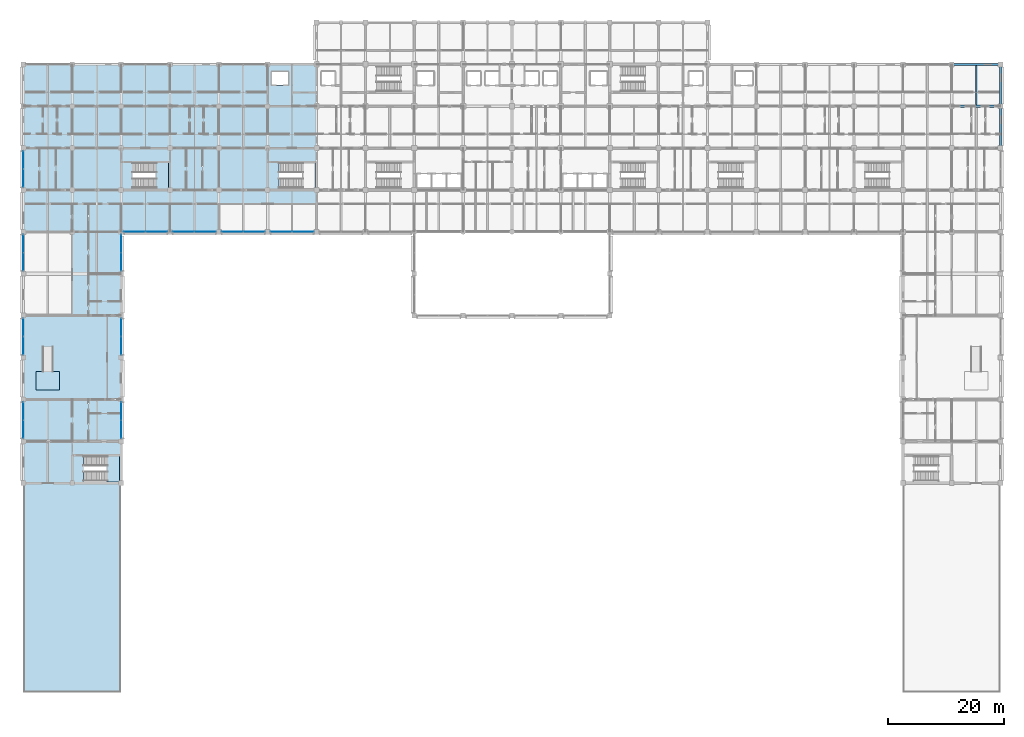
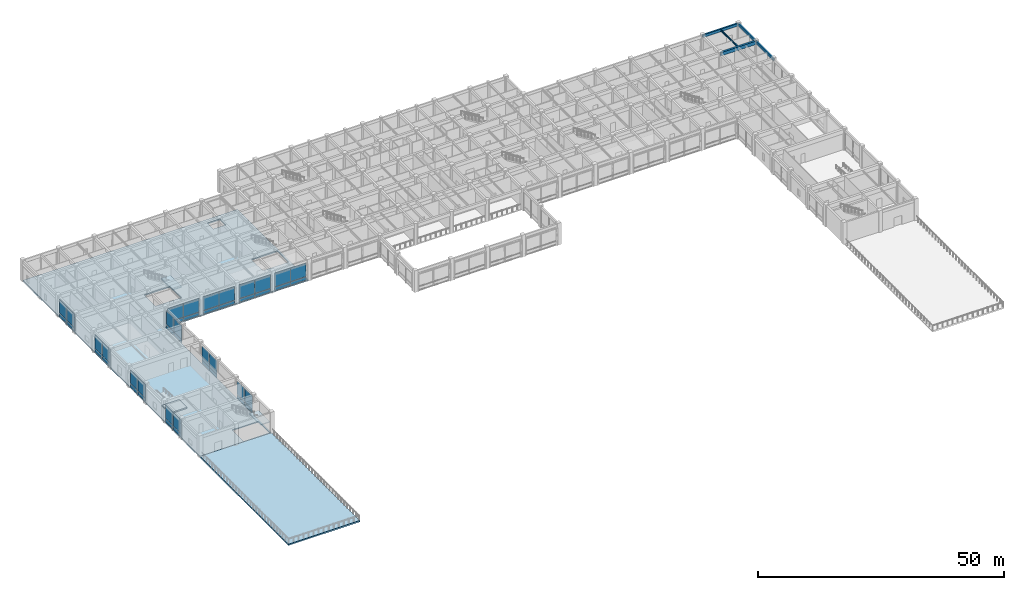
# One storey, part 17 of 51: 44 plates, 5 beams, 5 slabs, 13 elements without a shape of their own.
"""IFC4 building model written with IfcOpenShell, lengths in metres."""

from ifc_helpers import new_model, si_unit, direction, frame, origin, origin_2d, place, context, subcontext, project, spatial, polyline, rectangle, i_section, outline, extrude, material, layer, layer_set, material_profile, profile_set, type_object, element, aggregate, save


model = new_model("IFC4")

# Units and contexts
model_context = context("Model", 3, precision=1e-05, world=origin(), true_north=direction((0.0, 1.0)))
body_context = subcontext(model_context, "Body", "Model", "MODEL_VIEW")
ifc_project = project(units=[si_unit("LENGTHUNIT", "METRE"), si_unit("AREAUNIT", "SQUARE_METRE"), si_unit("VOLUMEUNIT", "CUBIC_METRE"), si_unit("PLANEANGLEUNIT", "RADIAN"), si_unit("MASSUNIT", "GRAM", prefix="KILO")], contexts=[model_context])

# Site, building, storey
site_placement = place(None, origin())
site = spatial("IfcSite", under=ifc_project, at=site_placement, CompositionType="ELEMENT")
building_placement = place(site_placement, origin())
building = spatial("IfcBuilding", under=site, at=building_placement, Name="Chengyuan Square Courthouse", CompositionType="ELEMENT")
storey_placement = place(building_placement, frame((0.0, 0.0, 10.800048828125)))
storey = spatial("IfcBuildingStorey", under=building, at=storey_placement, Name="L03", CompositionType="ELEMENT", Elevation=10.800048828125)

# Beams
ifc_material_1 = material(Name="Concrete C40", Category="concrete")
ifc_material_profile_1 = material_profile(ifc_material_1, rectangle(XDim=0.449951171875, YDim=0.85009765625, at=origin_2d()), Name="RC-BM-450x850")
ifc_profile_set_1 = profile_set([ifc_material_profile_1], Name="Concrete C40")
beam_type_1 = type_object("IfcBeamType", Name="BM-01", PredefinedType="USERDEFINED", material=ifc_profile_set_1)
beam_1_placement = place(storey_placement, frame((159.60009765625, 100.800048828125, 4.695068359375), z_axis=(1.0, 0.0, 0.0), x_axis=(0.0, 1.0, 0.0)))
element("IfcBeam", 1, at=beam_1_placement, inside=storey, type_object=beam_type_1, Name="Girder BM-L03-2603", ObjectType="GIRDER", PredefinedType="USERDEFINED", context=body_context, shape_type="SweptSolid", body=[
    extrude(rectangle(XDim=0.449951171875, YDim=0.85009765625, at=origin_2d()), origin(), (0.0, 0.0, 1.0), 8.39990234375),
])
ifc_material_profile_2 = material_profile(ifc_material_1, rectangle(XDim=0.35009765625, YDim=0.64990234375, at=origin_2d()), Name="RC-BM-350x650")
ifc_profile_set_2 = profile_set([ifc_material_profile_2], Name="Concrete C40")
beam_type_2 = type_object("IfcBeamType", Name="BM-03", PredefinedType="SPANDREL", material=ifc_profile_set_2)
beam_2_placement = place(storey_placement, frame((159.60009765625, 108.0, 4.794921875), z_axis=(1.0, 0.0, 0.0), x_axis=(0.0, 1.0, 0.0)))
element("IfcBeam", 2, at=beam_2_placement, inside=storey, type_object=beam_type_2, Name="Girder BM-L03-2623", PredefinedType="SPANDREL", context=body_context, shape_type="SweptSolid", body=[
    extrude(rectangle(XDim=0.35009765625, YDim=0.64990234375, at=origin_2d()), origin(), (0.0, 0.0, 1.0), 8.39990234375),
])
for number, where, z_axis, x_axis, name in (
    (3, (168.0, 93.60009765625, 4.794921875), (0.0, 1.0, 0.0), (-1.0, 0.0, 0.0), "Girder BM-L03-2751"),
    (4, (168.0, 100.800048828125, 4.794921875), (0.0, 1.0, 0.0), (-1.0, 0.0, 0.0), "Girder BM-L03-2752"),
):
    element("IfcBeam", number, at=place(storey_placement, frame(where, z_axis=z_axis, x_axis=x_axis)), inside=storey, type_object=beam_type_2, Name=name, PredefinedType="SPANDREL", context=body_context, shape_type="SweptSolid", body=[
        extrude(rectangle(XDim=0.35009765625, YDim=0.64990234375, at=origin_2d()), origin(), (0.0, 0.0, 1.0), 7.199951171875),
    ])
ifc_material_2 = material(Name="Steel Q355B", Category="steel")
ifc_material_profile_3 = material_profile(ifc_material_2, i_section(OverallWidth=0.199951171875, OverallDepth=0.449951171875, WebThickness=0.009033203125, FlangeThickness=0.013916015625, at=origin_2d()), Name="HN 450x200x9x14")
ifc_profile_set_3 = profile_set([ifc_material_profile_3], Name="Steel Q355B")
beam_type_3 = type_object("IfcBeamType", Name="BM-06", PredefinedType="BEAM", material=ifc_profile_set_3)
beam_3_placement = place(storey_placement, frame((163.800048828125, 101.02490234375, 4.89501953125), z_axis=(0.0, 1.0, 0.0), x_axis=(-1.0, 0.0, 0.0)))
element("IfcBeam", 5, at=beam_3_placement, inside=storey, type_object=beam_type_3, Name="Secondary Floor Beam SBM-L03-2842", PredefinedType="BEAM", context=body_context, shape_type="SweptSolid", body=[
    extrude(i_section(OverallWidth=0.199951171875, OverallDepth=0.449951171875, WebThickness=0.009033203125, FlangeThickness=0.013916015625, at=origin_2d()), origin(), (0.0, 0.0, 1.0), 6.800048828125),
])

# Curtain wall, plates
ifc_material_3 = material(Name="Unitised Aluminium and Triple Low-E Glass", Category="aluminium")
ifc_layer_1 = layer(ifc_material_3, 0.199951171875)
ifc_layer_set_1 = layer_set([ifc_layer_1], Name="Unitised Aluminium and Triple Low-E Glass")
curtain_wall_type_1 = type_object("IfcCurtainWallType", Name="CW-07", PredefinedType="USERDEFINED", material=ifc_layer_set_1)
curtain_wall_1_placement = place(storey_placement, origin())
curtain_wall_1 = element("IfcCurtainWall", 6, at=curtain_wall_1_placement, inside=storey, type_object=curtain_wall_type_1, Name="Unitised Curtain Wall CW-L03-097", ObjectType="UNITISED CURTAIN WALL", PredefinedType="USERDEFINED")
ifc_material_4 = material(Name="Triple Low-E Insulating Glass", Category="glass")
ifc_layer_2 = layer(ifc_material_4, 0.02392578125)
ifc_layer_set_2 = layer_set([ifc_layer_2], Name="Triple Low-E Insulating Glass")
plate_type_1 = type_object("IfcPlateType", Name="CWP-01", PredefinedType="CURTAIN_PANEL", material=ifc_layer_set_2)
plate_1_placement = place(storey_placement, frame((19.1298828125, 79.199951171875, 0.06982421875), z_axis=(0.0, 0.0, 1.0), x_axis=(1.0, 0.0, 0.0)))
plate_1 = element("IfcPlate", 7, at=plate_1_placement, type_object=plate_type_1, Name="CW-07 panel 1.1", PredefinedType="CURTAIN_PANEL", context=body_context, shape_type="SweptSolid", body=[
    extrude(rectangle(XDim=3.669921875, YDim=0.02392578125, at=origin_2d()), origin(), (0.0, 0.0, 1.0), 0.844970703125),
])
plate_2_placement = place(storey_placement, frame((19.1298828125, 79.199951171875, 0.98486328125), z_axis=(0.0, 0.0, 1.0), x_axis=(1.0, 0.0, 0.0)))
plate_2 = element("IfcPlate", 8, at=plate_2_placement, type_object=plate_type_1, Name="CW-07 panel 1.2", PredefinedType="CURTAIN_PANEL", context=body_context, shape_type="SweptSolid", body=[
    extrude(rectangle(XDim=3.669921875, YDim=0.02392578125, at=origin_2d()), origin(), (0.0, 0.0, 1.0), 3.4150390625),
])
plate_3_placement = place(storey_placement, frame((22.8701171875, 79.199951171875, 0.06982421875), z_axis=(0.0, 0.0, 1.0), x_axis=(1.0, 0.0, 0.0)))
plate_3 = element("IfcPlate", 9, at=plate_3_placement, type_object=plate_type_1, Name="CW-07 panel 2.1", PredefinedType="CURTAIN_PANEL", context=body_context, shape_type="SweptSolid", body=[
    extrude(rectangle(XDim=3.669921875, YDim=0.02392578125, at=origin_2d()), origin(), (0.0, 0.0, 1.0), 0.844970703125),
])
plate_4_placement = place(storey_placement, frame((22.8701171875, 79.199951171875, 0.98486328125), z_axis=(0.0, 0.0, 1.0), x_axis=(1.0, 0.0, 0.0)))
plate_4 = element("IfcPlate", 10, at=plate_4_placement, type_object=plate_type_1, Name="CW-07 panel 2.2", PredefinedType="CURTAIN_PANEL", context=body_context, shape_type="SweptSolid", body=[
    extrude(rectangle(XDim=3.669921875, YDim=0.02392578125, at=origin_2d()), origin(), (0.0, 0.0, 1.0), 3.4150390625),
])
aggregate(curtain_wall_1, [plate_1, plate_2, plate_3, plate_4])

curtain_wall_2_placement = place(storey_placement, origin())
curtain_wall_2 = element("IfcCurtainWall", 11, at=curtain_wall_2_placement, inside=storey, type_object=curtain_wall_type_1, Name="Unitised Curtain Wall CW-L03-099", ObjectType="UNITISED CURTAIN WALL", PredefinedType="USERDEFINED")
plate_5_placement = place(storey_placement, frame((27.530029296875, 79.199951171875, 0.06982421875), z_axis=(0.0, 0.0, 1.0), x_axis=(1.0, 0.0, 0.0)))
plate_5 = element("IfcPlate", 12, at=plate_5_placement, type_object=plate_type_1, Name="CW-07 panel 1.1", PredefinedType="CURTAIN_PANEL", context=body_context, shape_type="SweptSolid", body=[
    extrude(rectangle(XDim=3.669921875, YDim=0.02392578125, at=origin_2d()), origin(), (0.0, 0.0, 1.0), 0.844970703125),
])
plate_6_placement = place(storey_placement, frame((27.530029296875, 79.199951171875, 0.98486328125), z_axis=(0.0, 0.0, 1.0), x_axis=(1.0, 0.0, 0.0)))
plate_6 = element("IfcPlate", 13, at=plate_6_placement, type_object=plate_type_1, Name="CW-07 panel 1.2", PredefinedType="CURTAIN_PANEL", context=body_context, shape_type="SweptSolid", body=[
    extrude(rectangle(XDim=3.669921875, YDim=0.02392578125, at=origin_2d()), origin(), (0.0, 0.0, 1.0), 3.4150390625),
])
plate_7_placement = place(storey_placement, frame((31.27001953125, 79.199951171875, 0.06982421875), z_axis=(0.0, 0.0, 1.0), x_axis=(1.0, 0.0, 0.0)))
plate_7 = element("IfcPlate", 14, at=plate_7_placement, type_object=plate_type_1, Name="CW-07 panel 2.1", PredefinedType="CURTAIN_PANEL", context=body_context, shape_type="SweptSolid", body=[
    extrude(rectangle(XDim=3.669921875, YDim=0.02392578125, at=origin_2d()), origin(), (0.0, 0.0, 1.0), 0.844970703125),
])
plate_8_placement = place(storey_placement, frame((31.27001953125, 79.199951171875, 0.98486328125), z_axis=(0.0, 0.0, 1.0), x_axis=(1.0, 0.0, 0.0)))
plate_8 = element("IfcPlate", 15, at=plate_8_placement, type_object=plate_type_1, Name="CW-07 panel 2.2", PredefinedType="CURTAIN_PANEL", context=body_context, shape_type="SweptSolid", body=[
    extrude(rectangle(XDim=3.669921875, YDim=0.02392578125, at=origin_2d()), origin(), (0.0, 0.0, 1.0), 3.4150390625),
])
aggregate(curtain_wall_2, [plate_5, plate_6, plate_7, plate_8])

curtain_wall_3_placement = place(storey_placement, origin())
curtain_wall_3 = element("IfcCurtainWall", 16, at=curtain_wall_3_placement, inside=storey, type_object=curtain_wall_type_1, Name="Unitised Curtain Wall CW-L03-100", ObjectType="UNITISED CURTAIN WALL", PredefinedType="USERDEFINED")
plate_9_placement = place(storey_placement, frame((35.929931640625, 79.199951171875, 0.06982421875), z_axis=(0.0, 0.0, 1.0), x_axis=(1.0, 0.0, 0.0)))
plate_9 = element("IfcPlate", 17, at=plate_9_placement, type_object=plate_type_1, Name="CW-07 panel 1.1", PredefinedType="CURTAIN_PANEL", context=body_context, shape_type="SweptSolid", body=[
    extrude(rectangle(XDim=3.669921875, YDim=0.02392578125, at=origin_2d()), origin(), (0.0, 0.0, 1.0), 0.844970703125),
])
plate_10_placement = place(storey_placement, frame((35.929931640625, 79.199951171875, 0.98486328125), z_axis=(0.0, 0.0, 1.0), x_axis=(1.0, 0.0, 0.0)))
plate_10 = element("IfcPlate", 18, at=plate_10_placement, type_object=plate_type_1, Name="CW-07 panel 1.2", PredefinedType="CURTAIN_PANEL", context=body_context, shape_type="SweptSolid", body=[
    extrude(rectangle(XDim=3.669921875, YDim=0.02392578125, at=origin_2d()), origin(), (0.0, 0.0, 1.0), 3.4150390625),
])
plate_11_placement = place(storey_placement, frame((39.669921875, 79.199951171875, 0.06982421875), z_axis=(0.0, 0.0, 1.0), x_axis=(1.0, 0.0, 0.0)))
plate_11 = element("IfcPlate", 19, at=plate_11_placement, type_object=plate_type_1, Name="CW-07 panel 2.1", PredefinedType="CURTAIN_PANEL", context=body_context, shape_type="SweptSolid", body=[
    extrude(rectangle(XDim=3.669921875, YDim=0.02392578125, at=origin_2d()), origin(), (0.0, 0.0, 1.0), 0.844970703125),
])
plate_12_placement = place(storey_placement, frame((39.669921875, 79.199951171875, 0.98486328125), z_axis=(0.0, 0.0, 1.0), x_axis=(1.0, 0.0, 0.0)))
plate_12 = element("IfcPlate", 20, at=plate_12_placement, type_object=plate_type_1, Name="CW-07 panel 2.2", PredefinedType="CURTAIN_PANEL", context=body_context, shape_type="SweptSolid", body=[
    extrude(rectangle(XDim=3.669921875, YDim=0.02392578125, at=origin_2d()), origin(), (0.0, 0.0, 1.0), 3.4150390625),
])
aggregate(curtain_wall_3, [plate_9, plate_10, plate_11, plate_12])

curtain_wall_4_placement = place(storey_placement, origin())
curtain_wall_4 = element("IfcCurtainWall", 21, at=curtain_wall_4_placement, inside=storey, type_object=curtain_wall_type_1, Name="Unitised Curtain Wall CW-L03-102", ObjectType="UNITISED CURTAIN WALL", PredefinedType="USERDEFINED")
plate_13_placement = place(storey_placement, frame((44.32373046875, 79.199951171875, 0.06982421875), z_axis=(0.0, 0.0, 1.0), x_axis=(1.0, 0.0, 0.0)))
plate_13 = element("IfcPlate", 22, at=plate_13_placement, type_object=plate_type_1, Name="CW-07 panel 1.1", PredefinedType="CURTAIN_PANEL", context=body_context, shape_type="SweptSolid", body=[
    extrude(rectangle(XDim=3.657470703125, YDim=0.02392578125, at=origin_2d()), origin(), (0.0, 0.0, 1.0), 0.844970703125),
])
plate_14_placement = place(storey_placement, frame((44.32373046875, 79.199951171875, 0.98486328125), z_axis=(0.0, 0.0, 1.0), x_axis=(1.0, 0.0, 0.0)))
plate_14 = element("IfcPlate", 23, at=plate_14_placement, type_object=plate_type_1, Name="CW-07 panel 1.2", PredefinedType="CURTAIN_PANEL", context=body_context, shape_type="SweptSolid", body=[
    extrude(rectangle(XDim=3.657470703125, YDim=0.02392578125, at=origin_2d()), origin(), (0.0, 0.0, 1.0), 3.4150390625),
])
plate_15_placement = place(storey_placement, frame((48.05126953125, 79.199951171875, 0.06982421875), z_axis=(0.0, 0.0, 1.0), x_axis=(1.0, 0.0, 0.0)))
plate_15 = element("IfcPlate", 24, at=plate_15_placement, type_object=plate_type_1, Name="CW-07 panel 2.1", PredefinedType="CURTAIN_PANEL", context=body_context, shape_type="SweptSolid", body=[
    extrude(rectangle(XDim=3.657470703125, YDim=0.02392578125, at=origin_2d()), origin(), (0.0, 0.0, 1.0), 0.844970703125),
])
plate_16_placement = place(storey_placement, frame((48.05126953125, 79.199951171875, 0.98486328125), z_axis=(0.0, 0.0, 1.0), x_axis=(1.0, 0.0, 0.0)))
plate_16 = element("IfcPlate", 25, at=plate_16_placement, type_object=plate_type_1, Name="CW-07 panel 2.2", PredefinedType="CURTAIN_PANEL", context=body_context, shape_type="SweptSolid", body=[
    extrude(rectangle(XDim=3.657470703125, YDim=0.02392578125, at=origin_2d()), origin(), (0.0, 0.0, 1.0), 3.4150390625),
])
aggregate(curtain_wall_4, [plate_13, plate_14, plate_15, plate_16])

ifc_layer_3 = layer(ifc_material_3, 0.219970703125)
ifc_layer_set_3 = layer_set([ifc_layer_3], Name="Unitised Aluminium and Triple Low-E Glass")
curtain_wall_type_2 = type_object("IfcCurtainWallType", Name="CW-20", PredefinedType="USERDEFINED", material=ifc_layer_set_3)
curtain_wall_5_placement = place(storey_placement, origin())
curtain_wall_5 = element("IfcCurtainWall", 26, at=curtain_wall_5_placement, inside=storey, type_object=curtain_wall_type_2, Name="Unitised Curtain Wall CW-L03-089", ObjectType="UNITISED CURTAIN WALL", PredefinedType="USERDEFINED")
ifc_layer_4 = layer(ifc_material_4, 0.031982421875)
ifc_layer_set_4 = layer_set([ifc_layer_4], Name="Triple Low-E Insulating Glass")
plate_type_2 = type_object("IfcPlateType", Name="CWP-02", PredefinedType="CURTAIN_PANEL", material=ifc_layer_set_4)
plate_17_placement = place(storey_placement, frame((0.0, 45.232421875, 0.079833984375), z_axis=(0.0, 0.0, 1.0), x_axis=(0.0, 1.0, 0.0)))
plate_17 = element("IfcPlate", 27, at=plate_17_placement, type_object=plate_type_2, Name="CW-20 panel 1.1", PredefinedType="CURTAIN_PANEL", context=body_context, shape_type="SweptSolid", body=[
    extrude(rectangle(XDim=3.054931640625, YDim=0.031982421875, at=origin_2d()), origin(), (0.0, 0.0, 1.0), 0.830078125),
])
plate_18_placement = place(storey_placement, frame((0.0, 45.232421875, 0.989990234375), z_axis=(0.0, 0.0, 1.0), x_axis=(0.0, 1.0, 0.0)))
plate_18 = element("IfcPlate", 28, at=plate_18_placement, type_object=plate_type_2, Name="CW-20 panel 1.2", PredefinedType="CURTAIN_PANEL", context=body_context, shape_type="SweptSolid", body=[
    extrude(rectangle(XDim=3.054931640625, YDim=0.031982421875, at=origin_2d()), origin(), (0.0, 0.0, 1.0), 3.39990234375),
])
plate_19_placement = place(storey_placement, frame((0.0, 48.367431640625, 0.079833984375), z_axis=(0.0, 0.0, 1.0), x_axis=(0.0, 1.0, 0.0)))
plate_19 = element("IfcPlate", 29, at=plate_19_placement, type_object=plate_type_2, Name="CW-20 panel 2.1", PredefinedType="CURTAIN_PANEL", context=body_context, shape_type="SweptSolid", body=[
    extrude(rectangle(XDim=3.054931640625, YDim=0.031982421875, at=origin_2d()), origin(), (0.0, 0.0, 1.0), 0.830078125),
])
plate_20_placement = place(storey_placement, frame((0.0, 48.367431640625, 0.989990234375), z_axis=(0.0, 0.0, 1.0), x_axis=(0.0, 1.0, 0.0)))
plate_20 = element("IfcPlate", 30, at=plate_20_placement, type_object=plate_type_2, Name="CW-20 panel 2.2", PredefinedType="CURTAIN_PANEL", context=body_context, shape_type="SweptSolid", body=[
    extrude(rectangle(XDim=3.054931640625, YDim=0.031982421875, at=origin_2d()), origin(), (0.0, 0.0, 1.0), 3.39990234375),
])
aggregate(curtain_wall_5, [plate_17, plate_18, plate_19, plate_20])

curtain_wall_6_placement = place(storey_placement, origin())
curtain_wall_6 = element("IfcCurtainWall", 31, at=curtain_wall_6_placement, inside=storey, type_object=curtain_wall_type_2, Name="Unitised Curtain Wall CW-L03-090", ObjectType="UNITISED CURTAIN WALL", PredefinedType="USERDEFINED")
plate_21_placement = place(storey_placement, frame((0.0, 59.632568359375, 0.079833984375), z_axis=(0.0, 0.0, 1.0), x_axis=(0.0, 1.0, 0.0)))
plate_21 = element("IfcPlate", 32, at=plate_21_placement, type_object=plate_type_2, Name="CW-20 panel 1.1", PredefinedType="CURTAIN_PANEL", context=body_context, shape_type="SweptSolid", body=[
    extrude(rectangle(XDim=3.054931640625, YDim=0.031982421875, at=origin_2d()), origin(), (0.0, 0.0, 1.0), 0.830078125),
])
plate_22_placement = place(storey_placement, frame((0.0, 59.632568359375, 0.989990234375), z_axis=(0.0, 0.0, 1.0), x_axis=(0.0, 1.0, 0.0)))
plate_22 = element("IfcPlate", 33, at=plate_22_placement, type_object=plate_type_2, Name="CW-20 panel 1.2", PredefinedType="CURTAIN_PANEL", context=body_context, shape_type="SweptSolid", body=[
    extrude(rectangle(XDim=3.054931640625, YDim=0.031982421875, at=origin_2d()), origin(), (0.0, 0.0, 1.0), 3.39990234375),
])
plate_23_placement = place(storey_placement, frame((0.0, 62.767578125, 0.079833984375), z_axis=(0.0, 0.0, 1.0), x_axis=(0.0, 1.0, 0.0)))
plate_23 = element("IfcPlate", 34, at=plate_23_placement, type_object=plate_type_2, Name="CW-20 panel 2.1", PredefinedType="CURTAIN_PANEL", context=body_context, shape_type="SweptSolid", body=[
    extrude(rectangle(XDim=3.054931640625, YDim=0.031982421875, at=origin_2d()), origin(), (0.0, 0.0, 1.0), 0.830078125),
])
plate_24_placement = place(storey_placement, frame((0.0, 62.767578125, 0.989990234375), z_axis=(0.0, 0.0, 1.0), x_axis=(0.0, 1.0, 0.0)))
plate_24 = element("IfcPlate", 35, at=plate_24_placement, type_object=plate_type_2, Name="CW-20 panel 2.2", PredefinedType="CURTAIN_PANEL", context=body_context, shape_type="SweptSolid", body=[
    extrude(rectangle(XDim=3.054931640625, YDim=0.031982421875, at=origin_2d()), origin(), (0.0, 0.0, 1.0), 3.39990234375),
])
aggregate(curtain_wall_6, [plate_21, plate_22, plate_23, plate_24])

curtain_wall_7_placement = place(storey_placement, origin())
curtain_wall_7 = element("IfcCurtainWall", 36, at=curtain_wall_7_placement, inside=storey, type_object=curtain_wall_type_2, Name="Unitised Curtain Wall CW-L03-091", ObjectType="UNITISED CURTAIN WALL", PredefinedType="USERDEFINED")
plate_25_placement = place(storey_placement, frame((0.0, 74.032470703125, 0.079833984375), z_axis=(0.0, 0.0, 1.0), x_axis=(0.0, 1.0, 0.0)))
plate_25 = element("IfcPlate", 37, at=plate_25_placement, type_object=plate_type_2, Name="CW-20 panel 1.1", PredefinedType="CURTAIN_PANEL", context=body_context, shape_type="SweptSolid", body=[
    extrude(rectangle(XDim=3.054931640625, YDim=0.031982421875, at=origin_2d()), origin(), (0.0, 0.0, 1.0), 0.830078125),
])
plate_26_placement = place(storey_placement, frame((0.0, 74.032470703125, 0.989990234375), z_axis=(0.0, 0.0, 1.0), x_axis=(0.0, 1.0, 0.0)))
plate_26 = element("IfcPlate", 38, at=plate_26_placement, type_object=plate_type_2, Name="CW-20 panel 1.2", PredefinedType="CURTAIN_PANEL", context=body_context, shape_type="SweptSolid", body=[
    extrude(rectangle(XDim=3.054931640625, YDim=0.031982421875, at=origin_2d()), origin(), (0.0, 0.0, 1.0), 3.39990234375),
])
plate_27_placement = place(storey_placement, frame((0.0, 77.16748046875, 0.079833984375), z_axis=(0.0, 0.0, 1.0), x_axis=(0.0, 1.0, 0.0)))
plate_27 = element("IfcPlate", 39, at=plate_27_placement, type_object=plate_type_2, Name="CW-20 panel 2.1", PredefinedType="CURTAIN_PANEL", context=body_context, shape_type="SweptSolid", body=[
    extrude(rectangle(XDim=3.054931640625, YDim=0.031982421875, at=origin_2d()), origin(), (0.0, 0.0, 1.0), 0.830078125),
])
plate_28_placement = place(storey_placement, frame((0.0, 77.16748046875, 0.989990234375), z_axis=(0.0, 0.0, 1.0), x_axis=(0.0, 1.0, 0.0)))
plate_28 = element("IfcPlate", 40, at=plate_28_placement, type_object=plate_type_2, Name="CW-20 panel 2.2", PredefinedType="CURTAIN_PANEL", context=body_context, shape_type="SweptSolid", body=[
    extrude(rectangle(XDim=3.054931640625, YDim=0.031982421875, at=origin_2d()), origin(), (0.0, 0.0, 1.0), 3.39990234375),
])
aggregate(curtain_wall_7, [plate_25, plate_26, plate_27, plate_28])

curtain_wall_8_placement = place(storey_placement, origin())
curtain_wall_8 = element("IfcCurtainWall", 41, at=curtain_wall_8_placement, inside=storey, type_object=curtain_wall_type_2, Name="Unitised Curtain Wall CW-L03-092", ObjectType="UNITISED CURTAIN WALL", PredefinedType="USERDEFINED")
plate_29_placement = place(storey_placement, frame((0.0, 88.4326171875, 0.079833984375), z_axis=(0.0, 0.0, 1.0), x_axis=(0.0, 1.0, 0.0)))
plate_29 = element("IfcPlate", 42, at=plate_29_placement, type_object=plate_type_2, Name="CW-20 panel 1.1", PredefinedType="CURTAIN_PANEL", context=body_context, shape_type="SweptSolid", body=[
    extrude(rectangle(XDim=3.054931640625, YDim=0.031982421875, at=origin_2d()), origin(), (0.0, 0.0, 1.0), 0.830078125),
])
plate_30_placement = place(storey_placement, frame((0.0, 88.4326171875, 0.989990234375), z_axis=(0.0, 0.0, 1.0), x_axis=(0.0, 1.0, 0.0)))
plate_30 = element("IfcPlate", 43, at=plate_30_placement, type_object=plate_type_2, Name="CW-20 panel 1.2", PredefinedType="CURTAIN_PANEL", context=body_context, shape_type="SweptSolid", body=[
    extrude(rectangle(XDim=3.054931640625, YDim=0.031982421875, at=origin_2d()), origin(), (0.0, 0.0, 1.0), 3.39990234375),
])
plate_31_placement = place(storey_placement, frame((0.0, 91.5673828125, 0.079833984375), z_axis=(0.0, 0.0, 1.0), x_axis=(0.0, 1.0, 0.0)))
plate_31 = element("IfcPlate", 44, at=plate_31_placement, type_object=plate_type_2, Name="CW-20 panel 2.1", PredefinedType="CURTAIN_PANEL", context=body_context, shape_type="SweptSolid", body=[
    extrude(rectangle(XDim=3.054931640625, YDim=0.031982421875, at=origin_2d()), origin(), (0.0, 0.0, 1.0), 0.830078125),
])
plate_32_placement = place(storey_placement, frame((0.0, 91.5673828125, 0.989990234375), z_axis=(0.0, 0.0, 1.0), x_axis=(0.0, 1.0, 0.0)))
plate_32 = element("IfcPlate", 45, at=plate_32_placement, type_object=plate_type_2, Name="CW-20 panel 2.2", PredefinedType="CURTAIN_PANEL", context=body_context, shape_type="SweptSolid", body=[
    extrude(rectangle(XDim=3.054931640625, YDim=0.031982421875, at=origin_2d()), origin(), (0.0, 0.0, 1.0), 3.39990234375),
])
aggregate(curtain_wall_8, [plate_29, plate_30, plate_31, plate_32])

curtain_wall_9_placement = place(storey_placement, origin())
curtain_wall_9 = element("IfcCurtainWall", 46, at=curtain_wall_9_placement, inside=storey, type_object=curtain_wall_type_2, Name="Unitised Curtain Wall CW-L03-094", ObjectType="UNITISED CURTAIN WALL", PredefinedType="USERDEFINED")
plate_33_placement = place(storey_placement, frame((16.800048828125, 45.232421875, 0.079833984375), z_axis=(0.0, 0.0, 1.0), x_axis=(0.0, 1.0, 0.0)))
plate_33 = element("IfcPlate", 47, at=plate_33_placement, type_object=plate_type_2, Name="CW-20 panel 1.1", PredefinedType="CURTAIN_PANEL", context=body_context, shape_type="SweptSolid", body=[
    extrude(rectangle(XDim=3.054931640625, YDim=0.031982421875, at=origin_2d()), origin(), (0.0, 0.0, 1.0), 0.830078125),
])
plate_34_placement = place(storey_placement, frame((16.800048828125, 45.232421875, 0.989990234375), z_axis=(0.0, 0.0, 1.0), x_axis=(0.0, 1.0, 0.0)))
plate_34 = element("IfcPlate", 48, at=plate_34_placement, type_object=plate_type_2, Name="CW-20 panel 1.2", PredefinedType="CURTAIN_PANEL", context=body_context, shape_type="SweptSolid", body=[
    extrude(rectangle(XDim=3.054931640625, YDim=0.031982421875, at=origin_2d()), origin(), (0.0, 0.0, 1.0), 3.39990234375),
])
plate_35_placement = place(storey_placement, frame((16.800048828125, 48.367431640625, 0.079833984375), z_axis=(0.0, 0.0, 1.0), x_axis=(0.0, 1.0, 0.0)))
plate_35 = element("IfcPlate", 49, at=plate_35_placement, type_object=plate_type_2, Name="CW-20 panel 2.1", PredefinedType="CURTAIN_PANEL", context=body_context, shape_type="SweptSolid", body=[
    extrude(rectangle(XDim=3.054931640625, YDim=0.031982421875, at=origin_2d()), origin(), (0.0, 0.0, 1.0), 0.830078125),
])
plate_36_placement = place(storey_placement, frame((16.800048828125, 48.367431640625, 0.989990234375), z_axis=(0.0, 0.0, 1.0), x_axis=(0.0, 1.0, 0.0)))
plate_36 = element("IfcPlate", 50, at=plate_36_placement, type_object=plate_type_2, Name="CW-20 panel 2.2", PredefinedType="CURTAIN_PANEL", context=body_context, shape_type="SweptSolid", body=[
    extrude(rectangle(XDim=3.054931640625, YDim=0.031982421875, at=origin_2d()), origin(), (0.0, 0.0, 1.0), 3.39990234375),
])
aggregate(curtain_wall_9, [plate_33, plate_34, plate_35, plate_36])

curtain_wall_10_placement = place(storey_placement, origin())
curtain_wall_10 = element("IfcCurtainWall", 51, at=curtain_wall_10_placement, inside=storey, type_object=curtain_wall_type_2, Name="Unitised Curtain Wall CW-L03-095", ObjectType="UNITISED CURTAIN WALL", PredefinedType="USERDEFINED")
plate_37_placement = place(storey_placement, frame((16.800048828125, 59.632568359375, 0.079833984375), z_axis=(0.0, 0.0, 1.0), x_axis=(0.0, 1.0, 0.0)))
plate_37 = element("IfcPlate", 52, at=plate_37_placement, type_object=plate_type_2, Name="CW-20 panel 1.1", PredefinedType="CURTAIN_PANEL", context=body_context, shape_type="SweptSolid", body=[
    extrude(rectangle(XDim=3.054931640625, YDim=0.031982421875, at=origin_2d()), origin(), (0.0, 0.0, 1.0), 0.830078125),
])
plate_38_placement = place(storey_placement, frame((16.800048828125, 59.632568359375, 0.989990234375), z_axis=(0.0, 0.0, 1.0), x_axis=(0.0, 1.0, 0.0)))
plate_38 = element("IfcPlate", 53, at=plate_38_placement, type_object=plate_type_2, Name="CW-20 panel 1.2", PredefinedType="CURTAIN_PANEL", context=body_context, shape_type="SweptSolid", body=[
    extrude(rectangle(XDim=3.054931640625, YDim=0.031982421875, at=origin_2d()), origin(), (0.0, 0.0, 1.0), 3.39990234375),
])
plate_39_placement = place(storey_placement, frame((16.800048828125, 62.767578125, 0.079833984375), z_axis=(0.0, 0.0, 1.0), x_axis=(0.0, 1.0, 0.0)))
plate_39 = element("IfcPlate", 54, at=plate_39_placement, type_object=plate_type_2, Name="CW-20 panel 2.1", PredefinedType="CURTAIN_PANEL", context=body_context, shape_type="SweptSolid", body=[
    extrude(rectangle(XDim=3.054931640625, YDim=0.031982421875, at=origin_2d()), origin(), (0.0, 0.0, 1.0), 0.830078125),
])
plate_40_placement = place(storey_placement, frame((16.800048828125, 62.767578125, 0.989990234375), z_axis=(0.0, 0.0, 1.0), x_axis=(0.0, 1.0, 0.0)))
plate_40 = element("IfcPlate", 55, at=plate_40_placement, type_object=plate_type_2, Name="CW-20 panel 2.2", PredefinedType="CURTAIN_PANEL", context=body_context, shape_type="SweptSolid", body=[
    extrude(rectangle(XDim=3.054931640625, YDim=0.031982421875, at=origin_2d()), origin(), (0.0, 0.0, 1.0), 3.39990234375),
])
aggregate(curtain_wall_10, [plate_37, plate_38, plate_39, plate_40])

curtain_wall_11_placement = place(storey_placement, origin())
curtain_wall_11 = element("IfcCurtainWall", 56, at=curtain_wall_11_placement, inside=storey, type_object=curtain_wall_type_2, Name="Unitised Curtain Wall CW-L03-096", ObjectType="UNITISED CURTAIN WALL", PredefinedType="USERDEFINED")
plate_41_placement = place(storey_placement, frame((16.800048828125, 74.032470703125, 0.079833984375), z_axis=(0.0, 0.0, 1.0), x_axis=(0.0, 1.0, 0.0)))
plate_41 = element("IfcPlate", 57, at=plate_41_placement, type_object=plate_type_2, Name="CW-20 panel 1.1", PredefinedType="CURTAIN_PANEL", context=body_context, shape_type="SweptSolid", body=[
    extrude(rectangle(XDim=3.054931640625, YDim=0.031982421875, at=origin_2d()), origin(), (0.0, 0.0, 1.0), 0.830078125),
])
plate_42_placement = place(storey_placement, frame((16.800048828125, 74.032470703125, 0.989990234375), z_axis=(0.0, 0.0, 1.0), x_axis=(0.0, 1.0, 0.0)))
plate_42 = element("IfcPlate", 58, at=plate_42_placement, type_object=plate_type_2, Name="CW-20 panel 1.2", PredefinedType="CURTAIN_PANEL", context=body_context, shape_type="SweptSolid", body=[
    extrude(rectangle(XDim=3.054931640625, YDim=0.031982421875, at=origin_2d()), origin(), (0.0, 0.0, 1.0), 3.39990234375),
])
plate_43_placement = place(storey_placement, frame((16.800048828125, 77.16748046875, 0.079833984375), z_axis=(0.0, 0.0, 1.0), x_axis=(0.0, 1.0, 0.0)))
plate_43 = element("IfcPlate", 59, at=plate_43_placement, type_object=plate_type_2, Name="CW-20 panel 2.1", PredefinedType="CURTAIN_PANEL", context=body_context, shape_type="SweptSolid", body=[
    extrude(rectangle(XDim=3.054931640625, YDim=0.031982421875, at=origin_2d()), origin(), (0.0, 0.0, 1.0), 0.830078125),
])
plate_44_placement = place(storey_placement, frame((16.800048828125, 77.16748046875, 0.989990234375), z_axis=(0.0, 0.0, 1.0), x_axis=(0.0, 1.0, 0.0)))
plate_44 = element("IfcPlate", 60, at=plate_44_placement, type_object=plate_type_2, Name="CW-20 panel 2.2", PredefinedType="CURTAIN_PANEL", context=body_context, shape_type="SweptSolid", body=[
    extrude(rectangle(XDim=3.054931640625, YDim=0.031982421875, at=origin_2d()), origin(), (0.0, 0.0, 1.0), 3.39990234375),
])
aggregate(curtain_wall_11, [plate_41, plate_42, plate_43, plate_44])

# Slab
ifc_layer_5 = layer(ifc_material_1, 0.27001953125)
ifc_layer_set_5 = layer_set([ifc_layer_5], Name="Concrete C40")
slab_type_1 = type_object("IfcSlabType", Name="SL-DAIS", PredefinedType="FLOOR", material=ifc_layer_set_5)
slab_1_placement = place(storey_placement, origin())
element("IfcSlab", 61, at=slab_1_placement, inside=storey, type_object=slab_type_1, Name="Courtroom Accessible Judicial Dais 1", PredefinedType="FLOOR", context=body_context, shape_type="SweptSolid", body=[
    extrude(outline(polyline([(2.199951171875, 52.0), (6.199951171875, 52.0), (6.199951171875, 55.199951171875), (2.199951171875, 55.199951171875), (2.199951171875, 52.0)])), origin(), (0.0, 0.0, 1.0), 0.27001953125),
])

# Stair, slab
stair_type_1 = type_object("IfcStairType", Name="ST-TYPE-07", PredefinedType="HALF_TURN_STAIR", material=ifc_material_1)
stair_1_placement = place(storey_placement, origin())
stair_1 = element("IfcStair", 62, at=stair_1_placement, inside=storey, type_object=stair_type_1, Name="Smoke-Proof Exit Stair ST-7 (L03 to L04)", PredefinedType="HALF_TURN_STAIR")
ifc_layer_6 = layer(ifc_material_1, 0.18994140625)
ifc_layer_set_6 = layer_set([ifc_layer_6], Name="Concrete C40")
slab_type_2 = type_object("IfcSlabType", Name="SL-LND1", PredefinedType="LANDING", material=ifc_layer_set_6)
slab_2_placement = place(storey_placement, frame((0.0, 0.0, 2.510009765625)))
slab_2 = element("IfcSlab", 63, at=slab_2_placement, type_object=slab_type_2, Name="ST-7 landing 1", PredefinedType="LANDING", context=body_context, shape_type="SweptSolid", body=[
    extrude(outline(polyline([(14.330078125, 36.159912109375), (16.5400390625, 36.159912109375), (16.5400390625, 40.840087890625), (14.330078125, 40.840087890625), (14.330078125, 36.159912109375)])), origin(), (0.0, 0.0, 1.0), 0.18994140625),
])
aggregate(stair_1, [slab_2])

stair_type_2 = type_object("IfcStairType", Name="ST-TYPE-09", PredefinedType="HALF_TURN_STAIR", material=ifc_material_1)
stair_2_placement = place(storey_placement, origin())
stair_2 = element("IfcStair", 64, at=stair_2_placement, inside=storey, type_object=stair_type_2, Name="Smoke-Proof Exit Stair ST-9 (L03 to L04)", PredefinedType="HALF_TURN_STAIR")
slab_3_placement = place(storey_placement, frame((0.0, 0.0, 2.510009765625)))
slab_3 = element("IfcSlab", 65, at=slab_3_placement, type_object=slab_type_2, Name="ST-9 landing 1", PredefinedType="LANDING", context=body_context, shape_type="SweptSolid", body=[
    extrude(outline(polyline([(22.72998046875, 86.56005859375), (24.93994140625, 86.56005859375), (24.93994140625, 91.239990234375), (22.72998046875, 91.239990234375), (22.72998046875, 86.56005859375)])), origin(), (0.0, 0.0, 1.0), 0.18994140625),
])
aggregate(stair_2, [slab_3])

# Slabs
ifc_material_5 = material(Name="Post-tensioned Concrete C50", Category="concrete")
ifc_layer_7 = layer(ifc_material_5, 0.280029296875)
ifc_layer_set_7 = layer_set([ifc_layer_7], Name="Post-tensioned Concrete C50")
slab_type_3 = type_object("IfcSlabType", Name="SL-PT28", PredefinedType="FLOOR", material=ifc_layer_set_7)
slab_4_placement = place(storey_placement, frame((0.0, 0.0, -0.280029296875)))
element("IfcSlab", 66, at=slab_4_placement, inside=storey, type_object=slab_type_3, Name="Suspended Floor Slab SL-L03-01", PredefinedType="FLOOR", context=body_context, shape_type="SweptSolid", body=[
    extrude(outline(polyline([(0.0, 86.39990234375), (0.0, 93.60009765625), (0.0, 100.800048828125), (0.0, 108.0), (8.39990234375, 108.0), (16.800048828125, 108.0), (25.199951171875, 108.0), (33.60009765625, 108.0), (42.0, 108.0), (50.39990234375, 108.0), (50.39990234375, 79.199951171875), (42.0, 79.199951171875), (33.60009765625, 79.199951171875), (25.199951171875, 79.199951171875), (16.800048828125, 79.199951171875), (16.800048828125, 72.0), (16.800048828125, 64.800048828125), (16.800048828125, 57.60009765625), (16.800048828125, 50.39990234375), (16.800048828125, 43.199951171875), (16.800048828125, 36.0), (8.39990234375, 36.0), (0.0, 36.0), (0.0, 43.199951171875), (0.0, 50.39990234375), (0.0, 57.60009765625), (0.0, 64.800048828125), (0.0, 72.0), (0.0, 79.199951171875), (0.0, 86.39990234375)]), holes=[polyline([(10.35009765625, 40.800048828125), (10.35009765625, 36.199951171875), (16.5, 36.199951171875), (16.5, 40.800048828125), (10.35009765625, 40.800048828125)]), polyline([(24.89990234375, 91.199951171875), (18.75, 91.199951171875), (18.75, 86.60009765625), (24.89990234375, 86.60009765625), (24.89990234375, 91.199951171875)]), polyline([(43.949951171875, 91.199951171875), (43.949951171875, 86.60009765625), (50.10009765625, 86.60009765625), (50.10009765625, 91.199951171875), (43.949951171875, 91.199951171875)]), polyline([(45.60009765625, 106.800048828125), (42.60009765625, 106.800048828125), (42.60009765625, 104.39990234375), (45.60009765625, 104.39990234375), (45.60009765625, 106.800048828125)])]), origin(), (0.0, 0.0, 1.0), 0.280029296875),
])
ifc_layer_8 = layer(ifc_material_1, 0.35009765625)
ifc_layer_set_8 = layer_set([ifc_layer_8], Name="Concrete C40")
slab_type_4 = type_object("IfcSlabType", Name="SL-TER", PredefinedType="ROOF", material=ifc_layer_set_8)
slab_5_placement = place(storey_placement, frame((0.0, 0.0, -0.35009765625)))
element("IfcSlab", 67, at=slab_5_placement, inside=storey, type_object=slab_type_4, Name="West Square Overlook Planted Terrace", PredefinedType="ROOF", context=body_context, shape_type="SweptSolid", body=[
    extrude(outline(polyline([(0.0, 14.39990234375), (0.0, 21.60009765625), (0.0, 28.800048828125), (0.0, 36.0), (8.39990234375, 36.0), (16.800048828125, 36.0), (16.800048828125, 28.800048828125), (16.800048828125, 21.60009765625), (16.800048828125, 14.39990234375), (16.800048828125, 7.199951171875), (16.800048828125, 0.0), (8.39990234375, 0.0), (0.0, 0.0), (0.0, 7.199951171875), (0.0, 14.39990234375)])), origin(), (0.0, 0.0, 1.0), 0.35009765625),
])

save(model, "model.ifc")
